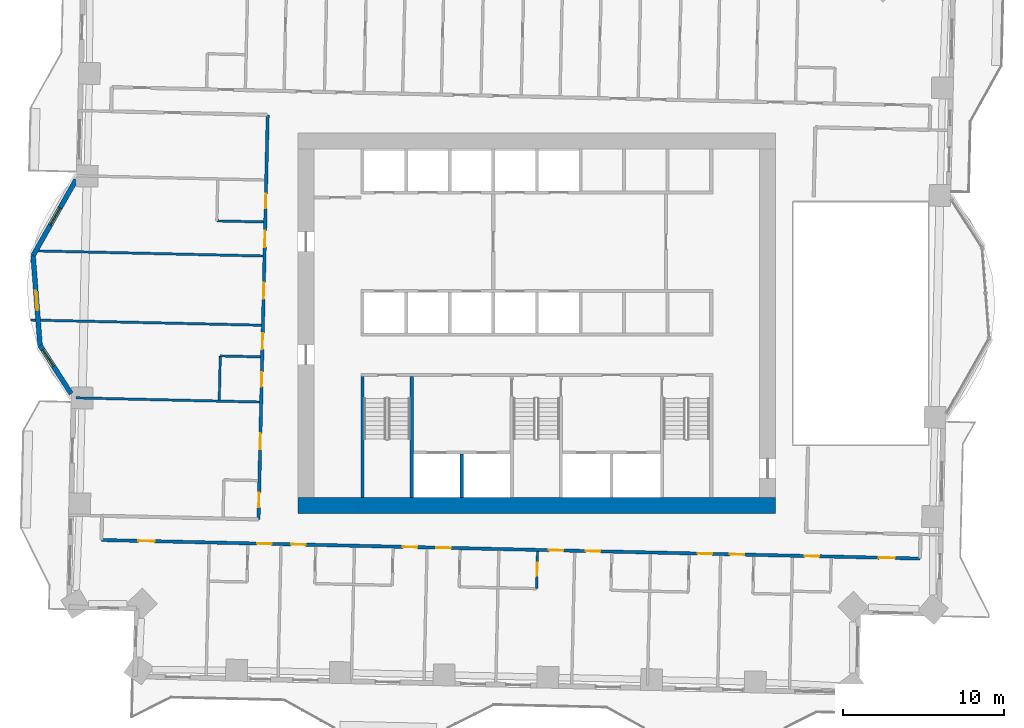
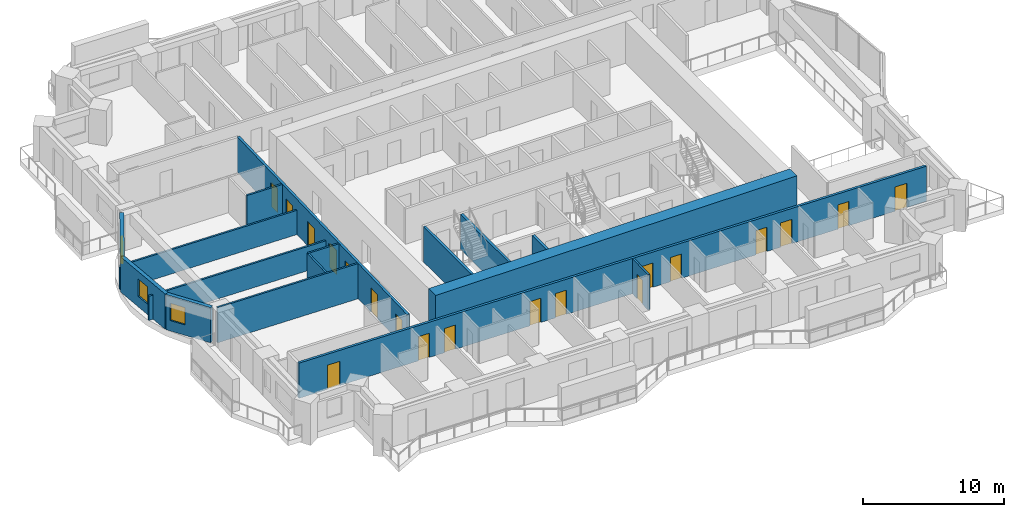
# One storey, part 7 of 16: 19 doors, 16 walls, 3 windows, 22 openings.
"""IFC4 building model written with IfcOpenShell, lengths in metres."""

from ifc_helpers import new_model, si_unit, direction, frame, frame_2d, origin, place, context, subcontext, project, spatial, rectangle, extrude, material, layer, layer_set, type_object, element, fill, save


model = new_model("IFC4")

# Units and contexts
model_context = context("Model", 3, precision=1e-05, world=origin(), true_north=direction((0.0, 1.0)))
body_context = subcontext(model_context, "Body", "Model", "MODEL_VIEW")
ifc_project = project(units=[si_unit("LENGTHUNIT", "METRE"), si_unit("AREAUNIT", "SQUARE_METRE"), si_unit("VOLUMEUNIT", "CUBIC_METRE"), si_unit("PLANEANGLEUNIT", "RADIAN"), si_unit("MASSUNIT", "GRAM", prefix="KILO")], contexts=[model_context])

# Site, building, storey
site_placement = place(None, origin())
site = spatial("IfcSite", under=ifc_project, at=site_placement, CompositionType="ELEMENT")
building_placement = place(site_placement, origin())
building = spatial("IfcBuilding", under=site, at=building_placement, Name="Mangrove Gate Tower", CompositionType="ELEMENT")
storey_placement = place(building_placement, frame((0.0, 0.0, 116.300048828125)))
storey = spatial("IfcBuildingStorey", under=building, at=storey_placement, Name="L29", CompositionType="ELEMENT", Elevation=116.300048828125)

# Walls
ifc_material_1 = material(Name="Concrete C70/85", Category="concrete")
ifc_layer_1 = layer(ifc_material_1, 0.199951171875)
ifc_layer_set_1 = layer_set([ifc_layer_1], Name="Core shaft wall 200 C70/85")
wall_type_1 = type_object("IfcWallType", Name="Core shaft wall 200 C70/85", PredefinedType="SHEAR", material=ifc_layer_set_1)
wall_1_placement = place(storey_placement, frame((-4.64990234375, -10.800048828125, 0.0), z_axis=(0.0, 0.0, 1.0), x_axis=(0.0, 1.0, 0.0)))
element("IfcWall", 1, at=wall_1_placement, inside=storey, type_object=wall_type_1, Name="WALL-L29-CORE-16", PredefinedType="SHEAR", context=body_context, shape_type="SweptSolid", body=[
    extrude(rectangle(XDim=2.699951171875, YDim=0.199951171875, at=frame_2d((1.35009765625, 0.0))), origin(), (0.0, 0.0, 1.0), 3.050048828125),
])
ifc_material_2 = material(Name="Concrete C70/85", Category="concrete")
ifc_layer_2 = layer(ifc_material_2, 0.199951171875)
ifc_layer_set_2 = layer_set([ifc_layer_2], Name="Core stair wall 200 C70/85")
wall_type_2 = type_object("IfcWallType", Name="Core stair wall 200 C70/85", PredefinedType="SHEAR", material=ifc_layer_set_2)
for number, where, z_axis, x_axis, name in (
    (2, (-10.800048828125, -10.800048828125, 0.0), (0.0, 0.0, 1.0), (0.0, 1.0, 0.0), "WALL-L29-CORE-9"),
    (3, (-7.75, -10.800048828125, 0.0), (0.0, 0.0, 1.0), (0.0, 1.0, 0.0), "WALL-L29-CORE-10"),
):
    element("IfcWall", number, at=place(storey_placement, frame(where, z_axis=z_axis, x_axis=x_axis)), inside=storey, type_object=wall_type_2, Name=name, PredefinedType="SHEAR", context=body_context, shape_type="SweptSolid", body=[
        extrude(rectangle(XDim=7.5, YDim=0.199951171875, at=frame_2d((3.75, 0.0))), origin(), (0.0, 0.0, 1.0), 3.050048828125),
    ])
ifc_material_3 = material(Name="Concrete C70/85", Category="concrete")
ifc_layer_3 = layer(ifc_material_3, 1.0)
ifc_layer_set_3 = layer_set([ifc_layer_3], Name="Core wall 1000 C70/85")
wall_type_3 = type_object("IfcWallType", Name="Core wall 1000 C70/85", PredefinedType="SHEAR", material=ifc_layer_set_3)
wall_2_placement = place(storey_placement, frame((-14.800048828125, -11.300048828125, 0.0), z_axis=(0.0, 0.0, 1.0), x_axis=(1.0, 0.0, 0.0)))
element("IfcWall", 4, at=wall_2_placement, inside=storey, type_object=wall_type_3, Name="WALL-L29-CORE-1", PredefinedType="SHEAR", context=body_context, shape_type="SweptSolid", body=[
    extrude(rectangle(XDim=29.60009765625, YDim=1.0, at=frame_2d((14.800048828125, 0.0))), origin(), (0.0, 0.0, 1.0), 3.599853515625),
])

# Wall, openings, doors
ifc_material_4 = material(Name="Gypsum board on steel stud, EI 60", Category="steel")
ifc_layer_4 = layer(ifc_material_4, 0.199951171875)
ifc_layer_set_4 = layer_set([ifc_layer_4], Name="Corridor wall EI 60")
wall_type_4 = type_object("IfcWallType", Name="Corridor wall EI 60", PredefinedType="PARTITIONING", material=ifc_layer_set_4)
wall_3_placement = place(storey_placement, frame((-26.97802734375, -13.427978515625, 0.0), z_axis=(0.0, 0.0, 1.0), x_axis=(0.999742553034, -0.02268981385, 0.0)))
wall_3 = element("IfcWall", 5, at=wall_3_placement, inside=storey, type_object=wall_type_4, Name="WALL-L29-026", PredefinedType="PARTITIONING", context=body_context, shape_type="SweptSolid", body=[
    extrude(rectangle(XDim=50.73291015625, YDim=0.199951171875, at=frame_2d((25.366455078125, 0.0))), origin(), (0.0, 0.0, 1.0), 3.050048828125),
])
opening_1_placement = place(wall_3_placement, frame((2.29296875, 0.0, 0.0)))
opening_1 = element("IfcOpeningElement", 6, at=opening_1_placement, cuts=wall_3, Name="Opening AD", PredefinedType="OPENING", context=body_context, shape_type="SweptSolid", body=[
    extrude(rectangle(XDim=1.0, YDim=2.10009765625, at=frame_2d((0.5, 1.050048828125))), frame((0.0, 0.10986328125, 0.0), z_axis=(0.0, -1.0, 0.0), x_axis=(1.0, 0.0, 0.0)), (0.0, 0.0, 1.0), 0.219970703125),
])
opening_2_placement = place(wall_3_placement, frame((9.64990234375, 0.0, 0.0)))
opening_2 = element("IfcOpeningElement", 7, at=opening_2_placement, cuts=wall_3, Name="Opening BD", PredefinedType="OPENING", context=body_context, shape_type="SweptSolid", body=[
    extrude(rectangle(XDim=0.89990234375, YDim=2.10009765625, at=frame_2d((0.449951171875, 1.050048828125))), frame((0.0, 0.10986328125, 0.0), z_axis=(0.0, -1.0, 0.0), x_axis=(1.0, 0.0, 0.0)), (0.0, 0.0, 1.0), 0.219970703125),
])
opening_3_placement = place(wall_3_placement, frame((11.75, 0.0, 0.0)))
opening_3 = element("IfcOpeningElement", 8, at=opening_3_placement, cuts=wall_3, Name="Opening BD", PredefinedType="OPENING", context=body_context, shape_type="SweptSolid", body=[
    extrude(rectangle(XDim=0.89990234375, YDim=2.10009765625, at=frame_2d((0.449951171875, 1.050048828125))), frame((0.0, 0.10986328125, 0.0), z_axis=(0.0, -1.0, 0.0), x_axis=(1.0, 0.0, 0.0)), (0.0, 0.0, 1.0), 0.219970703125),
])
opening_4_placement = place(wall_3_placement, frame((18.675048828125, 0.0, 0.0)))
opening_4 = element("IfcOpeningElement", 9, at=opening_4_placement, cuts=wall_3, Name="Opening BD", PredefinedType="OPENING", context=body_context, shape_type="SweptSolid", body=[
    extrude(rectangle(XDim=0.89990234375, YDim=2.10009765625, at=frame_2d((0.449951171875, 1.050048828125))), frame((0.0, 0.10986328125, 0.0), z_axis=(0.0, -1.0, 0.0), x_axis=(1.0, 0.0, 0.0)), (0.0, 0.0, 1.0), 0.219970703125),
])
opening_5_placement = place(wall_3_placement, frame((20.75, 0.0, 0.0)))
opening_5 = element("IfcOpeningElement", 10, at=opening_5_placement, cuts=wall_3, Name="Opening BD", PredefinedType="OPENING", context=body_context, shape_type="SweptSolid", body=[
    extrude(rectangle(XDim=0.89990234375, YDim=2.10009765625, at=frame_2d((0.449951171875, 1.050048828125))), frame((0.0, 0.10986328125, 0.0), z_axis=(0.0, -1.0, 0.0), x_axis=(1.0, 0.0, 0.0)), (0.0, 0.0, 1.0), 0.219970703125),
])
opening_6_placement = place(wall_3_placement, frame((27.72509765625, 0.0, 0.0)))
opening_6 = element("IfcOpeningElement", 11, at=opening_6_placement, cuts=wall_3, Name="Opening BD", PredefinedType="OPENING", context=body_context, shape_type="SweptSolid", body=[
    extrude(rectangle(XDim=0.89990234375, YDim=2.10009765625, at=frame_2d((0.449951171875, 1.050048828125))), frame((0.0, 0.10986328125, 0.0), z_axis=(0.0, -1.0, 0.0), x_axis=(1.0, 0.0, 0.0)), (0.0, 0.0, 1.0), 0.219970703125),
])
opening_7_placement = place(wall_3_placement, frame((30.02490234375, 0.0, 0.0)))
opening_7 = element("IfcOpeningElement", 12, at=opening_7_placement, cuts=wall_3, Name="Opening BD", PredefinedType="OPENING", context=body_context, shape_type="SweptSolid", body=[
    extrude(rectangle(XDim=0.89990234375, YDim=2.10009765625, at=frame_2d((0.449951171875, 1.050048828125))), frame((0.0, 0.10986328125, 0.0), z_axis=(0.0, -1.0, 0.0), x_axis=(1.0, 0.0, 0.0)), (0.0, 0.0, 1.0), 0.219970703125),
])
opening_8_placement = place(wall_3_placement, frame((36.949951171875, 0.0, 0.0)))
opening_8 = element("IfcOpeningElement", 13, at=opening_8_placement, cuts=wall_3, Name="Opening BD", PredefinedType="OPENING", context=body_context, shape_type="SweptSolid", body=[
    extrude(rectangle(XDim=0.89990234375, YDim=2.10009765625, at=frame_2d((0.449951171875, 1.050048828125))), frame((0.0, 0.10986328125, 0.0), z_axis=(0.0, -1.0, 0.0), x_axis=(1.0, 0.0, 0.0)), (0.0, 0.0, 1.0), 0.219970703125),
])
opening_9_placement = place(wall_3_placement, frame((38.949951171875, 0.0, 0.0)))
opening_9 = element("IfcOpeningElement", 14, at=opening_9_placement, cuts=wall_3, Name="Opening BD", PredefinedType="OPENING", context=body_context, shape_type="SweptSolid", body=[
    extrude(rectangle(XDim=0.89990234375, YDim=2.10009765625, at=frame_2d((0.449951171875, 1.050048828125))), frame((0.0, 0.10986328125, 0.0), z_axis=(0.0, -1.0, 0.0), x_axis=(1.0, 0.0, 0.0)), (0.0, 0.0, 1.0), 0.219970703125),
])
opening_10_placement = place(wall_3_placement, frame((48.178955078125, 0.0, 0.0)))
opening_10 = element("IfcOpeningElement", 15, at=opening_10_placement, cuts=wall_3, Name="Opening AD", PredefinedType="OPENING", context=body_context, shape_type="SweptSolid", body=[
    extrude(rectangle(XDim=1.0, YDim=2.10009765625, at=frame_2d((0.5, 1.050048828125))), frame((0.0, 0.10986328125, 0.0), z_axis=(0.0, -1.0, 0.0), x_axis=(1.0, 0.0, 0.0)), (0.0, 0.0, 1.0), 0.219970703125),
])
opening_11_placement = place(wall_3_placement, frame((43.574951171875, 0.0, 0.0)))
opening_11 = element("IfcOpeningElement", 16, at=opening_11_placement, cuts=wall_3, Name="Opening SD", PredefinedType="OPENING", context=body_context, shape_type="SweptSolid", body=[
    extrude(rectangle(XDim=0.89990234375, YDim=2.10009765625, at=frame_2d((0.449951171875, 1.050048828125))), frame((0.0, 0.10986328125, 0.0), z_axis=(0.0, -1.0, 0.0), x_axis=(1.0, 0.0, 0.0)), (0.0, 0.0, 1.0), 0.219970703125),
])
ifc_material_5 = material(Name="Timber door leaf", Category="wood")
door_type_1 = type_object("IfcDoorType", Name="Amenity door 1000", OperationType="SINGLE_SWING_LEFT", PredefinedType="DOOR", material=ifc_material_5)
door_1_placement = place(opening_1_placement, origin())
door_1 = element("IfcDoor", 17, at=door_1_placement, inside=storey, type_object=door_type_1, Name="DOOR-L29-GAM-c1a", OperationType="SINGLE_SWING_LEFT", OverallHeight=2.10009765625, OverallWidth=1.0, PredefinedType="DOOR", context=body_context, shape_type="SweptSolid", body=[
    extrude(rectangle(XDim=1.0, YDim=2.10009765625, at=frame_2d((0.5, 1.050048828125))), frame((0.0, 0.02490234375, 0.0), z_axis=(0.0, -1.0, 0.0), x_axis=(1.0, 0.0, 0.0)), (0.0, 0.0, 1.0), 0.050048828125),
])
fill(opening_1, door_1)
door_2_placement = place(opening_10_placement, origin())
door_2 = element("IfcDoor", 18, at=door_2_placement, inside=storey, type_object=door_type_1, Name="DOOR-L29-STU-c3a", OperationType="SINGLE_SWING_RIGHT", OverallHeight=2.10009765625, OverallWidth=1.0, PredefinedType="DOOR", context=body_context, shape_type="SweptSolid", body=[
    extrude(rectangle(XDim=1.0, YDim=2.10009765625, at=frame_2d((0.5, 1.050048828125))), frame((0.0, 0.02490234375, 0.0), z_axis=(0.0, -1.0, 0.0), x_axis=(1.0, 0.0, 0.0)), (0.0, 0.0, 1.0), 0.050048828125),
])
fill(opening_10, door_2)
ifc_material_6 = material(Name="Timber door leaf", Category="wood")
door_type_2 = type_object("IfcDoorType", Name="Bedroom door 900", OperationType="SINGLE_SWING_LEFT", PredefinedType="DOOR", material=ifc_material_6)
door_3_placement = place(opening_2_placement, origin())
door_3 = element("IfcDoor", 19, at=door_3_placement, inside=storey, type_object=door_type_2, Name="DOOR-L29-BED-c101", OperationType="SINGLE_SWING_LEFT", OverallHeight=2.10009765625, OverallWidth=0.89990234375, PredefinedType="DOOR", context=body_context, shape_type="SweptSolid", body=[
    extrude(rectangle(XDim=0.89990234375, YDim=2.10009765625, at=frame_2d((0.449951171875, 1.050048828125))), frame((0.0, 0.02490234375, 0.0), z_axis=(0.0, -1.0, 0.0), x_axis=(1.0, 0.0, 0.0)), (0.0, 0.0, 1.0), 0.050048828125),
])
fill(opening_2, door_3)
door_4_placement = place(opening_3_placement, origin())
door_4 = element("IfcDoor", 20, at=door_4_placement, inside=storey, type_object=door_type_2, Name="DOOR-L29-BED-c102", OperationType="SINGLE_SWING_RIGHT", OverallHeight=2.10009765625, OverallWidth=0.89990234375, PredefinedType="DOOR", context=body_context, shape_type="SweptSolid", body=[
    extrude(rectangle(XDim=0.89990234375, YDim=2.10009765625, at=frame_2d((0.449951171875, 1.050048828125))), frame((0.0, 0.02490234375, 0.0), z_axis=(0.0, -1.0, 0.0), x_axis=(1.0, 0.0, 0.0)), (0.0, 0.0, 1.0), 0.050048828125),
])
fill(opening_3, door_4)
door_5_placement = place(opening_4_placement, origin())
door_5 = element("IfcDoor", 21, at=door_5_placement, inside=storey, type_object=door_type_2, Name="DOOR-L29-BED-c103", OperationType="SINGLE_SWING_LEFT", OverallHeight=2.10009765625, OverallWidth=0.89990234375, PredefinedType="DOOR", context=body_context, shape_type="SweptSolid", body=[
    extrude(rectangle(XDim=0.89990234375, YDim=2.10009765625, at=frame_2d((0.449951171875, 1.050048828125))), frame((0.0, 0.02490234375, 0.0), z_axis=(0.0, -1.0, 0.0), x_axis=(1.0, 0.0, 0.0)), (0.0, 0.0, 1.0), 0.050048828125),
])
fill(opening_4, door_5)
door_6_placement = place(opening_5_placement, origin())
door_6 = element("IfcDoor", 22, at=door_6_placement, inside=storey, type_object=door_type_2, Name="DOOR-L29-BED-c204", OperationType="SINGLE_SWING_RIGHT", OverallHeight=2.10009765625, OverallWidth=0.89990234375, PredefinedType="DOOR", context=body_context, shape_type="SweptSolid", body=[
    extrude(rectangle(XDim=0.89990234375, YDim=2.10009765625, at=frame_2d((0.449951171875, 1.050048828125))), frame((0.0, 0.02490234375, 0.0), z_axis=(0.0, -1.0, 0.0), x_axis=(1.0, 0.0, 0.0)), (0.0, 0.0, 1.0), 0.050048828125),
])
fill(opening_5, door_6)
door_7_placement = place(opening_6_placement, origin())
door_7 = element("IfcDoor", 23, at=door_7_placement, inside=storey, type_object=door_type_2, Name="DOOR-L29-BED-c205", OperationType="SINGLE_SWING_LEFT", OverallHeight=2.10009765625, OverallWidth=0.89990234375, PredefinedType="DOOR", context=body_context, shape_type="SweptSolid", body=[
    extrude(rectangle(XDim=0.89990234375, YDim=2.10009765625, at=frame_2d((0.449951171875, 1.050048828125))), frame((0.0, 0.02490234375, 0.0), z_axis=(0.0, -1.0, 0.0), x_axis=(1.0, 0.0, 0.0)), (0.0, 0.0, 1.0), 0.050048828125),
])
fill(opening_6, door_7)
door_8_placement = place(opening_7_placement, origin())
door_8 = element("IfcDoor", 24, at=door_8_placement, inside=storey, type_object=door_type_2, Name="DOOR-L29-BED-c206", OperationType="SINGLE_SWING_RIGHT", OverallHeight=2.10009765625, OverallWidth=0.89990234375, PredefinedType="DOOR", context=body_context, shape_type="SweptSolid", body=[
    extrude(rectangle(XDim=0.89990234375, YDim=2.10009765625, at=frame_2d((0.449951171875, 1.050048828125))), frame((0.0, 0.02490234375, 0.0), z_axis=(0.0, -1.0, 0.0), x_axis=(1.0, 0.0, 0.0)), (0.0, 0.0, 1.0), 0.050048828125),
])
fill(opening_7, door_8)
door_9_placement = place(opening_8_placement, origin())
door_9 = element("IfcDoor", 25, at=door_9_placement, inside=storey, type_object=door_type_2, Name="DOOR-L29-BED-c307", OperationType="SINGLE_SWING_LEFT", OverallHeight=2.10009765625, OverallWidth=0.89990234375, PredefinedType="DOOR", context=body_context, shape_type="SweptSolid", body=[
    extrude(rectangle(XDim=0.89990234375, YDim=2.10009765625, at=frame_2d((0.449951171875, 1.050048828125))), frame((0.0, 0.02490234375, 0.0), z_axis=(0.0, -1.0, 0.0), x_axis=(1.0, 0.0, 0.0)), (0.0, 0.0, 1.0), 0.050048828125),
])
fill(opening_8, door_9)
door_10_placement = place(opening_9_placement, origin())
door_10 = element("IfcDoor", 26, at=door_10_placement, inside=storey, type_object=door_type_2, Name="DOOR-L29-BED-c308", OperationType="SINGLE_SWING_RIGHT", OverallHeight=2.10009765625, OverallWidth=0.89990234375, PredefinedType="DOOR", context=body_context, shape_type="SweptSolid", body=[
    extrude(rectangle(XDim=0.89990234375, YDim=2.10009765625, at=frame_2d((0.449951171875, 1.050048828125))), frame((0.0, 0.02490234375, 0.0), z_axis=(0.0, -1.0, 0.0), x_axis=(1.0, 0.0, 0.0)), (0.0, 0.0, 1.0), 0.050048828125),
])
fill(opening_9, door_10)
ifc_material_7 = material(Name="Timber door leaf", Category="wood")
door_type_3 = type_object("IfcDoorType", Name="Service room door 900", OperationType="SINGLE_SWING_LEFT", PredefinedType="DOOR", material=ifc_material_7)
door_11_placement = place(opening_11_placement, origin())
door_11 = element("IfcDoor", 27, at=door_11_placement, inside=storey, type_object=door_type_3, Name="DOOR-L29-LIN-c3a", OperationType="SINGLE_SWING_LEFT", OverallHeight=2.10009765625, OverallWidth=0.89990234375, PredefinedType="DOOR", context=body_context, shape_type="SweptSolid", body=[
    extrude(rectangle(XDim=0.89990234375, YDim=2.10009765625, at=frame_2d((0.449951171875, 1.050048828125))), frame((0.0, 0.02490234375, 0.0), z_axis=(0.0, -1.0, 0.0), x_axis=(1.0, 0.0, 0.0)), (0.0, 0.0, 1.0), 0.050048828125),
])
fill(opening_11, door_11)

wall_4_placement = place(storey_placement, frame((-17.2470703125, -12.14892578125, 0.0), z_axis=(0.0, 0.0, 1.0), x_axis=(0.022696191528, 0.999742408268, 0.0)))
wall_4 = element("IfcWall", 28, at=wall_4_placement, inside=storey, type_object=wall_type_4, Name="WALL-L29-031", PredefinedType="PARTITIONING", context=body_context, shape_type="SweptSolid", body=[
    extrude(rectangle(XDim=25.07421875, YDim=0.199951171875, at=frame_2d((12.537109375, 0.0))), origin(), (0.0, 0.0, 1.0), 3.050048828125),
])
opening_12_placement = place(wall_4_placement, frame((16.875, 0.0, 0.0)))
opening_12 = element("IfcOpeningElement", 29, at=opening_12_placement, cuts=wall_4, Name="Opening AD", PredefinedType="OPENING", context=body_context, shape_type="SweptSolid", body=[
    extrude(rectangle(XDim=1.0, YDim=2.10009765625, at=frame_2d((0.5, 1.050048828125))), frame((0.0, 0.10986328125, 0.0), z_axis=(0.0, -1.0, 0.0), x_axis=(1.0, 0.0, 0.0)), (0.0, 0.0, 1.0), 0.219970703125),
])
opening_13_placement = place(wall_4_placement, frame((19.27490234375, 0.0, 0.0)))
opening_13 = element("IfcOpeningElement", 30, at=opening_13_placement, cuts=wall_4, Name="Opening SD", PredefinedType="OPENING", context=body_context, shape_type="SweptSolid", body=[
    extrude(rectangle(XDim=0.89990234375, YDim=2.10009765625, at=frame_2d((0.449951171875, 1.050048828125))), frame((0.0, 0.10986328125, 0.0), z_axis=(0.0, -1.0, 0.0), x_axis=(1.0, 0.0, 0.0)), (0.0, 0.0, 1.0), 0.219970703125),
])
opening_14_placement = place(wall_4_placement, frame((13.675048828125, 0.0, 0.0)))
opening_14 = element("IfcOpeningElement", 31, at=opening_14_placement, cuts=wall_4, Name="Opening AD", PredefinedType="OPENING", context=body_context, shape_type="SweptSolid", body=[
    extrude(rectangle(XDim=1.0, YDim=2.10009765625, at=frame_2d((0.5, 1.050048828125))), frame((0.0, 0.10986328125, 0.0), z_axis=(0.0, -1.0, 0.0), x_axis=(1.0, 0.0, 0.0)), (0.0, 0.0, 1.0), 0.219970703125),
])
opening_15_placement = place(wall_4_placement, frame((10.550048828125, 0.0, 0.0)))
opening_15 = element("IfcOpeningElement", 32, at=opening_15_placement, cuts=wall_4, Name="Opening AD", PredefinedType="OPENING", context=body_context, shape_type="SweptSolid", body=[
    extrude(rectangle(XDim=1.0, YDim=2.10009765625, at=frame_2d((0.5, 1.050048828125))), frame((0.0, 0.10986328125, 0.0), z_axis=(0.0, -1.0, 0.0), x_axis=(1.0, 0.0, 0.0)), (0.0, 0.0, 1.0), 0.219970703125),
])
opening_16_placement = place(wall_4_placement, frame((8.22509765625, 0.0, 0.0)))
opening_16 = element("IfcOpeningElement", 33, at=opening_16_placement, cuts=wall_4, Name="Opening SD", PredefinedType="OPENING", context=body_context, shape_type="SweptSolid", body=[
    extrude(rectangle(XDim=0.89990234375, YDim=2.10009765625, at=frame_2d((0.449951171875, 1.050048828125))), frame((0.0, 0.10986328125, 0.0), z_axis=(0.0, -1.0, 0.0), x_axis=(1.0, 0.0, 0.0)), (0.0, 0.0, 1.0), 0.219970703125),
])
opening_17_placement = place(wall_4_placement, frame((4.3369140625, 0.0, 0.0)))
opening_17 = element("IfcOpeningElement", 34, at=opening_17_placement, cuts=wall_4, Name="Opening AD", PredefinedType="OPENING", context=body_context, shape_type="SweptSolid", body=[
    extrude(rectangle(XDim=1.0, YDim=2.10009765625, at=frame_2d((0.5, 1.050048828125))), frame((0.0, 0.10986328125, 0.0), z_axis=(0.0, -1.0, 0.0), x_axis=(1.0, 0.0, 0.0)), (0.0, 0.0, 1.0), 0.219970703125),
])
opening_18_placement = place(wall_4_placement, frame((0.75, 0.0, 0.0)))
opening_18 = element("IfcOpeningElement", 35, at=opening_18_placement, cuts=wall_4, Name="Opening SD", PredefinedType="OPENING", context=body_context, shape_type="SweptSolid", body=[
    extrude(rectangle(XDim=0.89990234375, YDim=2.10009765625, at=frame_2d((0.449951171875, 1.050048828125))), frame((0.0, 0.10986328125, 0.0), z_axis=(0.0, -1.0, 0.0), x_axis=(1.0, 0.0, 0.0)), (0.0, 0.0, 1.0), 0.219970703125),
])
door_12_placement = place(opening_12_placement, origin())
door_12 = element("IfcDoor", 36, at=door_12_placement, inside=storey, type_object=door_type_1, Name="DOOR-L29-LNG-c5a", OperationType="SINGLE_SWING_RIGHT", OverallHeight=2.10009765625, OverallWidth=1.0, PredefinedType="DOOR", context=body_context, shape_type="SweptSolid", body=[
    extrude(rectangle(XDim=1.0, YDim=2.10009765625, at=frame_2d((0.5, 1.050048828125))), frame((0.0, 0.02490234375, 0.0), z_axis=(0.0, -1.0, 0.0), x_axis=(1.0, 0.0, 0.0)), (0.0, 0.0, 1.0), 0.050048828125),
])
fill(opening_12, door_12)
door_13_placement = place(opening_14_placement, origin())
door_13 = element("IfcDoor", 37, at=door_13_placement, inside=storey, type_object=door_type_1, Name="DOOR-L29-LNG-c5b", OperationType="SINGLE_SWING_LEFT", OverallHeight=2.10009765625, OverallWidth=1.0, PredefinedType="DOOR", context=body_context, shape_type="SweptSolid", body=[
    extrude(rectangle(XDim=1.0, YDim=2.10009765625, at=frame_2d((0.5, 1.050048828125))), frame((0.0, 0.02490234375, 0.0), z_axis=(0.0, -1.0, 0.0), x_axis=(1.0, 0.0, 0.0)), (0.0, 0.0, 1.0), 0.050048828125),
])
fill(opening_14, door_13)
door_14_placement = place(opening_15_placement, origin())
door_14 = element("IfcDoor", 38, at=door_14_placement, inside=storey, type_object=door_type_1, Name="DOOR-L29-LNG-c5c", OperationType="SINGLE_SWING_RIGHT", OverallHeight=2.10009765625, OverallWidth=1.0, PredefinedType="DOOR", context=body_context, shape_type="SweptSolid", body=[
    extrude(rectangle(XDim=1.0, YDim=2.10009765625, at=frame_2d((0.5, 1.050048828125))), frame((0.0, 0.02490234375, 0.0), z_axis=(0.0, -1.0, 0.0), x_axis=(1.0, 0.0, 0.0)), (0.0, 0.0, 1.0), 0.050048828125),
])
fill(opening_15, door_14)
door_15_placement = place(opening_17_placement, origin())
door_15 = element("IfcDoor", 39, at=door_15_placement, inside=storey, type_object=door_type_1, Name="DOOR-L29-GAM-c5b", OperationType="SINGLE_SWING_LEFT", OverallHeight=2.10009765625, OverallWidth=1.0, PredefinedType="DOOR", context=body_context, shape_type="SweptSolid", body=[
    extrude(rectangle(XDim=1.0, YDim=2.10009765625, at=frame_2d((0.5, 1.050048828125))), frame((0.0, 0.02490234375, 0.0), z_axis=(0.0, -1.0, 0.0), x_axis=(1.0, 0.0, 0.0)), (0.0, 0.0, 1.0), 0.050048828125),
])
fill(opening_17, door_15)
door_16_placement = place(opening_13_placement, origin())
door_16 = element("IfcDoor", 40, at=door_16_placement, inside=storey, type_object=door_type_3, Name="DOOR-L29-AWC-c5a", OperationType="SINGLE_SWING_RIGHT", OverallHeight=2.10009765625, OverallWidth=0.89990234375, PredefinedType="DOOR", context=body_context, shape_type="SweptSolid", body=[
    extrude(rectangle(XDim=0.89990234375, YDim=2.10009765625, at=frame_2d((0.449951171875, 1.050048828125))), frame((0.0, 0.02490234375, 0.0), z_axis=(0.0, -1.0, 0.0), x_axis=(1.0, 0.0, 0.0)), (0.0, 0.0, 1.0), 0.050048828125),
])
fill(opening_13, door_16)
door_17_placement = place(opening_16_placement, origin())
door_17 = element("IfcDoor", 41, at=door_17_placement, inside=storey, type_object=door_type_3, Name="DOOR-L29-LDY-c5a", OperationType="SINGLE_SWING_LEFT", OverallHeight=2.10009765625, OverallWidth=0.89990234375, PredefinedType="DOOR", context=body_context, shape_type="SweptSolid", body=[
    extrude(rectangle(XDim=0.89990234375, YDim=2.10009765625, at=frame_2d((0.449951171875, 1.050048828125))), frame((0.0, 0.02490234375, 0.0), z_axis=(0.0, -1.0, 0.0), x_axis=(1.0, 0.0, 0.0)), (0.0, 0.0, 1.0), 0.050048828125),
])
fill(opening_16, door_17)
door_18_placement = place(opening_18_placement, origin())
door_18 = element("IfcDoor", 42, at=door_18_placement, inside=storey, type_object=door_type_3, Name="DOOR-L29-LIN-c5b", OperationType="SINGLE_SWING_RIGHT", OverallHeight=2.10009765625, OverallWidth=0.89990234375, PredefinedType="DOOR", context=body_context, shape_type="SweptSolid", body=[
    extrude(rectangle(XDim=0.89990234375, YDim=2.10009765625, at=frame_2d((0.449951171875, 1.050048828125))), frame((0.0, 0.02490234375, 0.0), z_axis=(0.0, -1.0, 0.0), x_axis=(1.0, 0.0, 0.0)), (0.0, 0.0, 1.0), 0.050048828125),
])
fill(opening_18, door_18)

# Wall, opening, window
ifc_material_8 = material(Name="Limestone", Category="masonry")
ifc_layer_5 = layer(ifc_material_8, 0.0400390625, Name="Limestone cladding")
ifc_material_9 = material(Name="Ventilated air gap")
ifc_layer_6 = layer(ifc_material_9, 0.0400390625, Name="Ventilated cavity")
ifc_material_10 = material(Name="Mineral wool insulation")
ifc_layer_7 = layer(ifc_material_10, 0.06005859375, Name="Insulation")
ifc_material_11 = material(Name="Breather membrane")
ifc_layer_8 = layer(ifc_material_11, 0.001953125, Name="Breather membrane")
ifc_material_12 = material(Name="Concrete C20/25 blockwork", Category="masonry")
ifc_layer_9 = layer(ifc_material_12, 0.14990234375, Name="Blockwork backing wall")
ifc_material_13 = material(Name="Gypsum plaster")
ifc_layer_10 = layer(ifc_material_13, 0.008056640625, Name="Internal plaster")
ifc_layer_set_5 = layer_set([ifc_layer_5, ifc_layer_6, ifc_layer_7, ifc_layer_8, ifc_layer_9, ifc_layer_10], Name="External wall 300 limestone cladding")
wall_type_5 = type_object("IfcWallType", Name="External wall 300 limestone cladding", PredefinedType="SOLIDWALL", material=ifc_layer_set_5)
wall_5_placement = place(storey_placement, frame((-28.556884765625, 8.89404296875, 0.0), z_axis=(0.0, 0.0, 1.0), x_axis=(-0.492589172415, -0.8702619762, 0.0)))
wall_5 = element("IfcWall", 43, at=wall_5_placement, inside=storey, type_object=wall_type_5, Name="WALL-L29-W9f1", PredefinedType="SOLIDWALL", context=body_context, shape_type="SweptSolid", body=[
    extrude(rectangle(XDim=5.3984375, YDim=0.300048828125, at=frame_2d((2.69921875, 0.0))), origin(), (0.0, 0.0, 1.0), 3.050048828125),
])
opening_19_placement = place(wall_5_placement, frame((2.008056640625, 0.0, 0.89990234375)))
opening_19 = element("IfcOpeningElement", 44, at=opening_19_placement, cuts=wall_5, Name="Opening W1", PredefinedType="OPENING", context=body_context, shape_type="SweptSolid", body=[
    extrude(rectangle(XDim=1.199951171875, YDim=1.5, at=frame_2d((0.60009765625, 0.75))), frame((0.0, 0.159912109375, 0.0), z_axis=(0.0, -1.0, 0.0), x_axis=(1.0, 0.0, 0.0)), (0.0, 0.0, 1.0), 0.320068359375),
])
ifc_material_14 = material(Name="Aluminium frame with double-glazed low-e glass", Category="aluminium")
window_type = type_object("IfcWindowType", Name="Side lite 1200x1500", PartitioningType="SINGLE_PANEL", PredefinedType="WINDOW", material=ifc_material_14)
window_1_placement = place(opening_19_placement, origin())
window_1 = element("IfcWindow", 45, at=window_1_placement, inside=storey, type_object=window_type, Name="WIN-L29-W9f1", OverallHeight=1.5, OverallWidth=1.199951171875, PartitioningType="SINGLE_PANEL", PredefinedType="WINDOW", context=body_context, shape_type="SweptSolid", body=[
    extrude(rectangle(XDim=1.199951171875, YDim=1.5, at=frame_2d((0.60009765625, 0.75))), frame((0.0, 0.030029296875, 0.0), z_axis=(0.0, -1.0, 0.0), x_axis=(1.0, 0.0, 0.0)), (0.0, 0.0, 1.0), 0.06005859375),
])
fill(opening_19, window_1)

wall_6_placement = place(storey_placement, frame((-31.216064453125, 4.196044921875, 0.0), z_axis=(0.0, 0.0, 1.0), x_axis=(0.077178825362, -0.997017266107, 0.0)))
wall_6 = element("IfcWall", 46, at=wall_6_placement, inside=storey, type_object=wall_type_5, Name="WALL-L29-W9f2", PredefinedType="SOLIDWALL", context=body_context, shape_type="SweptSolid", body=[
    extrude(rectangle(XDim=5.57373046875, YDim=0.300048828125, at=frame_2d((2.786865234375, 0.0))), origin(), (0.0, 0.0, 1.0), 3.050048828125),
])
opening_20_placement = place(wall_6_placement, frame((2.18603515625, 0.0, 0.89990234375)))
opening_20 = element("IfcOpeningElement", 47, at=opening_20_placement, cuts=wall_6, Name="Opening W1", PredefinedType="OPENING", context=body_context, shape_type="SweptSolid", body=[
    extrude(rectangle(XDim=1.199951171875, YDim=1.5, at=frame_2d((0.60009765625, 0.75))), frame((0.0, 0.159912109375, 0.0), z_axis=(0.0, -1.0, 0.0), x_axis=(1.0, 0.0, 0.0)), (0.0, 0.0, 1.0), 0.320068359375),
])
window_2_placement = place(opening_20_placement, origin())
window_2 = element("IfcWindow", 48, at=window_2_placement, inside=storey, type_object=window_type, Name="WIN-L29-W9f2", OverallHeight=1.5, OverallWidth=1.199951171875, PartitioningType="SINGLE_PANEL", PredefinedType="WINDOW", context=body_context, shape_type="SweptSolid", body=[
    extrude(rectangle(XDim=1.199951171875, YDim=1.5, at=frame_2d((0.60009765625, 0.75))), frame((0.0, 0.030029296875, 0.0), z_axis=(0.0, -1.0, 0.0), x_axis=(1.0, 0.0, 0.0)), (0.0, 0.0, 1.0), 0.06005859375),
])
fill(opening_20, window_2)

wall_7_placement = place(storey_placement, frame((-30.785888671875, -1.361083984375, 0.0), z_axis=(0.0, 0.0, 1.0), x_axis=(0.54058467792, -0.841289608873, 0.0)))
wall_7 = element("IfcWall", 49, at=wall_7_placement, inside=storey, type_object=wall_type_5, Name="WALL-L29-W9f3", PredefinedType="SOLIDWALL", context=body_context, shape_type="SweptSolid", body=[
    extrude(rectangle(XDim=3.568359375, YDim=0.300048828125, at=frame_2d((1.7841796875, 0.0))), origin(), (0.0, 0.0, 1.0), 3.050048828125),
])
opening_21_placement = place(wall_7_placement, frame((0.337890625, 0.0, 0.89990234375)))
opening_21 = element("IfcOpeningElement", 50, at=opening_21_placement, cuts=wall_7, Name="Opening W1", PredefinedType="OPENING", context=body_context, shape_type="SweptSolid", body=[
    extrude(rectangle(XDim=1.199951171875, YDim=1.5, at=frame_2d((0.60009765625, 0.75))), frame((0.0, 0.159912109375, 0.0), z_axis=(0.0, -1.0, 0.0), x_axis=(1.0, 0.0, 0.0)), (0.0, 0.0, 1.0), 0.320068359375),
])
window_3_placement = place(opening_21_placement, origin())
window_3 = element("IfcWindow", 51, at=window_3_placement, inside=storey, type_object=window_type, Name="WIN-L29-W9f3", OverallHeight=1.5, OverallWidth=1.199951171875, PartitioningType="SINGLE_PANEL", PredefinedType="WINDOW", context=body_context, shape_type="SweptSolid", body=[
    extrude(rectangle(XDim=1.199951171875, YDim=1.5, at=frame_2d((0.60009765625, 0.75))), frame((0.0, 0.030029296875, 0.0), z_axis=(0.0, -1.0, 0.0), x_axis=(1.0, 0.0, 0.0)), (0.0, 0.0, 1.0), 0.06005859375),
])
fill(opening_21, window_3)

# Wall, opening, door
ifc_material_15 = material(Name="Gypsum board on steel stud, EI 60", Category="steel")
ifc_layer_11 = layer(ifc_material_15, 0.14990234375)
ifc_layer_set_6 = layer_set([ifc_layer_11], Name="Party wall 150 EI 60")
wall_type_6 = type_object("IfcWallType", Name="Party wall 150 EI 60", PredefinedType="PARTITIONING", material=ifc_layer_set_6)
wall_8_placement = place(storey_placement, frame((-0.010009765625, -16.44091796875, 0.0), z_axis=(0.0, 0.0, 1.0), x_axis=(0.022605686808, 0.999744458811, 0.0)))
wall_8 = element("IfcWall", 52, at=wall_8_placement, inside=storey, type_object=wall_type_6, Name="WALL-L29-017", PredefinedType="PARTITIONING", context=body_context, shape_type="SweptSolid", body=[
    extrude(rectangle(XDim=2.30029296875, YDim=0.14990234375, at=frame_2d((1.150146484375, 0.0))), origin(), (0.0, 0.0, 1.0), 3.050048828125),
])
opening_22_placement = place(wall_8_placement, frame((0.800048828125, 0.0, 0.0)))
opening_22 = element("IfcOpeningElement", 53, at=opening_22_placement, cuts=wall_8, Name="Opening ED", PredefinedType="OPENING", context=body_context, shape_type="SweptSolid", body=[
    extrude(rectangle(XDim=0.800048828125, YDim=2.10009765625, at=frame_2d((0.39990234375, 1.050048828125))), frame((0.0, 0.0849609375, 0.0), z_axis=(0.0, -1.0, 0.0), x_axis=(1.0, 0.0, 0.0)), (0.0, 0.0, 1.0), 0.169921875),
])
ifc_material_16 = material(Name="Timber door leaf", Category="wood")
door_type_4 = type_object("IfcDoorType", Name="En-suite door 800", OperationType="SINGLE_SWING_LEFT", PredefinedType="DOOR", material=ifc_material_16)
door_19_placement = place(opening_22_placement, origin())
door_19 = element("IfcDoor", 54, at=door_19_placement, inside=storey, type_object=door_type_4, Name="DOOR-L29-ENS-c205", OperationType="SINGLE_SWING_LEFT", OverallHeight=2.10009765625, OverallWidth=0.800048828125, PredefinedType="DOOR", context=body_context, shape_type="SweptSolid", body=[
    extrude(rectangle(XDim=0.800048828125, YDim=2.10009765625, at=frame_2d((0.39990234375, 1.050048828125))), frame((0.0, 0.02490234375, 0.0), z_axis=(0.0, -1.0, 0.0), x_axis=(1.0, 0.0, 0.0)), (0.0, 0.0, 1.0), 0.050048828125),
])
fill(opening_22, door_19)

# Walls
wall_9_placement = place(storey_placement, frame((-28.552978515625, -4.6201171875, 0.0), z_axis=(0.0, 0.0, 1.0), x_axis=(0.999743020026, -0.022669228257, 0.0)))
element("IfcWall", 55, at=wall_9_placement, inside=storey, type_object=wall_type_6, Name="WALL-L29-036", PredefinedType="PARTITIONING", context=body_context, shape_type="SweptSolid", body=[
    extrude(rectangle(XDim=11.372802734375, YDim=0.14990234375, at=frame_2d((5.6865234375, 0.0))), origin(), (0.0, 0.0, 1.0), 3.050048828125),
])
wall_10_placement = place(storey_placement, frame((-19.679931640625, -4.740966796875, 0.0), z_axis=(0.0, 0.0, 1.0), x_axis=(0.022760079124, 0.999740955847, 0.0)))
element("IfcWall", 56, at=wall_10_placement, inside=storey, type_object=wall_type_6, Name="WALL-L29-037", PredefinedType="PARTITIONING", context=body_context, shape_type="SweptSolid", body=[
    extrude(rectangle(XDim=2.724609375, YDim=0.14990234375, at=frame_2d((1.3623046875, 0.0))), origin(), (0.0, 0.0, 1.0), 3.050048828125),
])
wall_11_placement = place(storey_placement, frame((-19.618896484375, -2.02197265625, 0.0), z_axis=(0.0, 0.0, 1.0), x_axis=(0.999738750294, -0.02285675306, 0.0)))
element("IfcWall", 57, at=wall_11_placement, inside=storey, type_object=wall_type_6, Name="WALL-L29-038", PredefinedType="PARTITIONING", context=body_context, shape_type="SweptSolid", body=[
    extrude(rectangle(XDim=2.49951171875, YDim=0.14990234375, at=frame_2d((1.249755859375, 0.0))), origin(), (0.0, 0.0, 1.0), 3.050048828125),
])
wall_12_placement = place(storey_placement, frame((-31.385009765625, 0.205078125, 0.0), z_axis=(0.0, 0.0, 1.0), x_axis=(0.99974382177, -0.022633842623, 0.0)))
element("IfcWall", 58, at=wall_12_placement, inside=storey, type_object=wall_type_6, Name="WALL-L29-039", PredefinedType="PARTITIONING", context=body_context, shape_type="SweptSolid", body=[
    extrude(rectangle(XDim=14.313720703125, YDim=0.14990234375, at=frame_2d((7.15673828125, 0.0))), origin(), (0.0, 0.0, 1.0), 2.099853515625),
])
wall_13_placement = place(storey_placement, frame((-31.27197265625, 4.493896484375, 0.0), z_axis=(0.0, 0.0, 1.0), x_axis=(0.999743244098, -0.022659344212, 0.0)))
element("IfcWall", 59, at=wall_13_placement, inside=storey, type_object=wall_type_6, Name="WALL-L29-040", PredefinedType="PARTITIONING", context=body_context, shape_type="SweptSolid", body=[
    extrude(rectangle(XDim=14.297607421875, YDim=0.14990234375, at=frame_2d((7.14892578125, 0.0))), origin(), (0.0, 0.0, 1.0), 2.099853515625),
])
wall_14_placement = place(storey_placement, frame((-19.8291015625, 6.344970703125, 0.0), z_axis=(0.0, 0.0, 1.0), x_axis=(0.999741618182, -0.022730967319, 0.0)))
element("IfcWall", 60, at=wall_14_placement, inside=storey, type_object=wall_type_6, Name="WALL-L29-042", PredefinedType="PARTITIONING", context=body_context, shape_type="SweptSolid", body=[
    extrude(rectangle(XDim=2.89990234375, YDim=0.14990234375, at=frame_2d((1.449951171875, 0.0))), origin(), (0.0, 0.0, 1.0), 3.050048828125),
])

save(model, "model.ifc")
